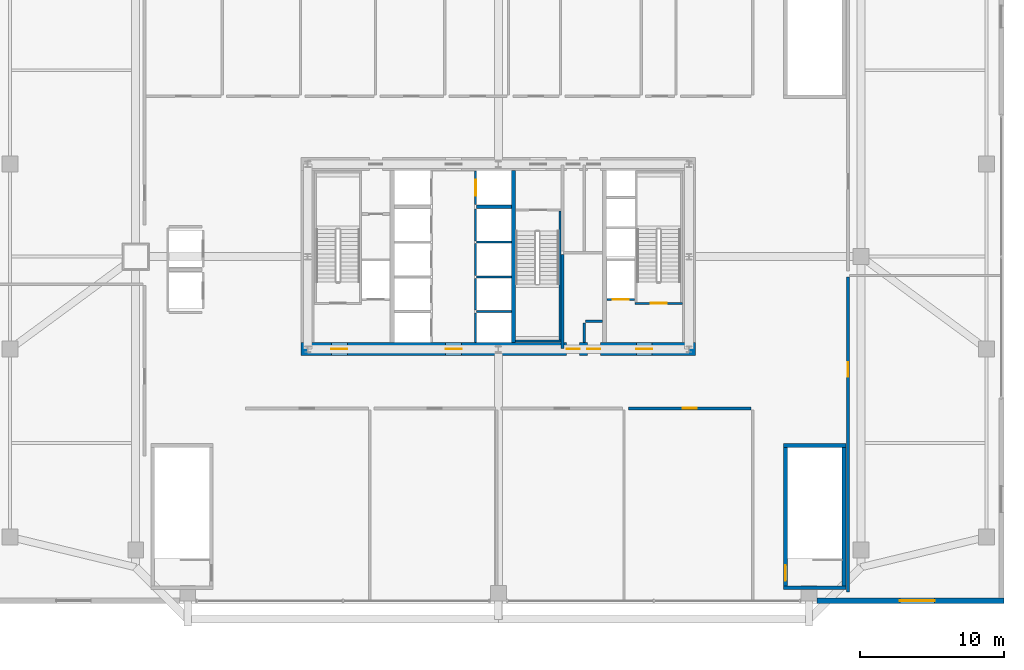
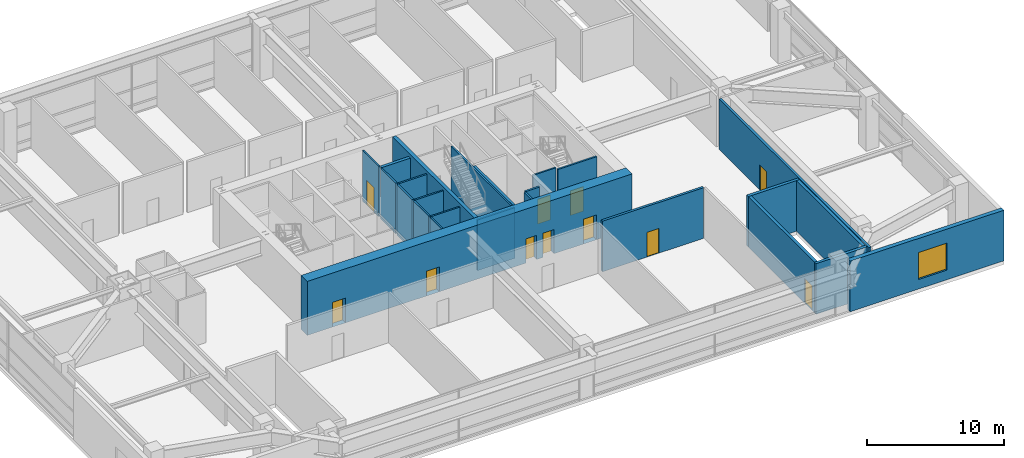
# One storey, part 30 of 34: 25 walls, 11 doors, 1 window, 12 openings.
"""IFC4 building model written with IfcOpenShell, lengths in metres."""

from ifc_helpers import new_model, si_unit, direction, frame, frame_2d, origin, place, context, subcontext, project, spatial, rectangle, extrude, source, transform, mapped, material, layer, layer_set, type_object, element, fill, save


model = new_model("IFC4")

# Units and contexts
model_context = context("Model", 3, precision=1e-05, world=origin(), true_north=direction((0.0, 1.0)))
body_context = subcontext(model_context, "Body", "Model", "MODEL_VIEW")
ifc_project = project(units=[si_unit("LENGTHUNIT", "METRE"), si_unit("AREAUNIT", "SQUARE_METRE"), si_unit("VOLUMEUNIT", "CUBIC_METRE"), si_unit("PLANEANGLEUNIT", "RADIAN"), si_unit("MASSUNIT", "GRAM", prefix="KILO"), si_unit("THERMODYNAMICTEMPERATUREUNIT", "KELVIN"), si_unit("POWERUNIT", "WATT")], contexts=[model_context])

# Site, building, storey
site_placement = place(None, origin())
site = spatial("IfcSite", under=ifc_project, at=site_placement, CompositionType="ELEMENT")
building_placement = place(site_placement, origin())
building = spatial("IfcBuilding", under=site, at=building_placement, Name="Yuzanri Waterfront Tower", CompositionType="ELEMENT")
storey_placement = place(building_placement, frame((0.0, 0.0, 25.800048828125)))
storey = spatial("IfcBuildingStorey", under=building, at=storey_placement, Name="L06", CompositionType="ELEMENT", Elevation=25.800048828125)

# Wall, openings, doors
ifc_material_1 = material(Name="Concrete C60", Category="concrete")
ifc_layer_1 = layer(ifc_material_1, 0.89990234375)
ifc_layer_set_1 = layer_set([ifc_layer_1], Name="Concrete C60")
wall_type_1 = type_object("IfcWallType", Name="Concrete C60 Lower Zone Core Shear Wall 900", PredefinedType="SHEAR", material=ifc_layer_set_1)
wall_1_placement = place(storey_placement, frame((23.35009765625, 19.39990234375, 0.0), z_axis=(0.0, 0.0, 1.0), x_axis=(1.0, 0.0, 0.0)))
wall_1 = element("IfcWall", 1, at=wall_1_placement, inside=storey, type_object=wall_type_1, Name="L06 Core South Shear Wall", PredefinedType="SHEAR", context=body_context, shape_type="SweptSolid", body=[
    extrude(rectangle(XDim=27.2998046875, YDim=0.89990234375, at=frame_2d((13.64990234375, 0.0))), origin(), (0.0, 0.0, 1.0), 4.800048828125),
])
opening_1_placement = place(wall_1_placement, frame((2.10009765625, 0.0, 0.0)))
opening_1 = element("IfcOpeningElement", 2, at=opening_1_placement, cuts=wall_1, Name="Opening FD-1100", PredefinedType="OPENING", context=body_context, shape_type="SweptSolid", body=[
    extrude(rectangle(XDim=1.10009765625, YDim=2.199951171875, at=frame_2d((0.550048828125, 1.10009765625))), frame((0.0, 0.46484375, 0.0), z_axis=(0.0, -1.0, 0.0), x_axis=(1.0, 0.0, 0.0)), (0.0, 0.0, 1.0), 0.9296875),
])
opening_2_placement = place(wall_1_placement, frame((10.0, 0.0, 0.0)))
opening_2 = element("IfcOpeningElement", 3, at=opening_2_placement, cuts=wall_1, Name="Opening FD-1100", PredefinedType="OPENING", context=body_context, shape_type="SweptSolid", body=[
    extrude(rectangle(XDim=1.10009765625, YDim=2.199951171875, at=frame_2d((0.550048828125, 1.10009765625))), frame((0.0, 0.46484375, 0.0), z_axis=(0.0, -1.0, 0.0), x_axis=(1.0, 0.0, 0.0)), (0.0, 0.0, 1.0), 0.9296875),
])
opening_3_placement = place(wall_1_placement, frame((23.199951171875, 0.0, 0.0)))
opening_3 = element("IfcOpeningElement", 4, at=opening_3_placement, cuts=wall_1, Name="Opening FD-1100", PredefinedType="OPENING", context=body_context, shape_type="SweptSolid", body=[
    extrude(rectangle(XDim=1.10009765625, YDim=2.199951171875, at=frame_2d((0.550048828125, 1.10009765625))), frame((0.0, 0.46484375, 0.0), z_axis=(0.0, -1.0, 0.0), x_axis=(1.0, 0.0, 0.0)), (0.0, 0.0, 1.0), 0.9296875),
])
opening_4_placement = place(wall_1_placement, frame((19.820068359375, 0.0, 0.0)))
opening_4 = element("IfcOpeningElement", 5, at=opening_4_placement, cuts=wall_1, Name="Opening FD-0900", PredefinedType="OPENING", context=body_context, shape_type="SweptSolid", body=[
    extrude(rectangle(XDim=0.89990234375, YDim=2.14990234375, at=frame_2d((0.449951171875, 1.074951171875))), frame((0.0, 0.46484375, 0.0), z_axis=(0.0, -1.0, 0.0), x_axis=(1.0, 0.0, 0.0)), (0.0, 0.0, 1.0), 0.9296875),
])
opening_5_placement = place(wall_1_placement, frame((18.3798828125, 0.0, 0.0)))
opening_5 = element("IfcOpeningElement", 6, at=opening_5_placement, cuts=wall_1, Name="Opening FD-0900", PredefinedType="OPENING", context=body_context, shape_type="SweptSolid", body=[
    extrude(rectangle(XDim=0.89990234375, YDim=2.14990234375, at=frame_2d((0.449951171875, 1.074951171875))), frame((0.0, 0.46484375, 0.0), z_axis=(0.0, -1.0, 0.0), x_axis=(1.0, 0.0, 0.0)), (0.0, 0.0, 1.0), 0.9296875),
])
ifc_material_2 = material(Name="Painted Galvanized Fire Steel", Category="steel")
door_type_1 = type_object("IfcDoorType", Name="Smoke-Proof Stair and Lobby Fire Door 1100x2200", OperationType="NOTDEFINED", PredefinedType="DOOR", material=ifc_material_2)
shared_shape_1 = source(origin(), body_context, "Body", "SweptSolid", [
    extrude(rectangle(XDim=1.10009765625, YDim=2.199951171875, at=frame_2d((0.550048828125, 1.10009765625))), frame((0.0, 0.02490234375, 0.0), z_axis=(0.0, -1.0, 0.0), x_axis=(1.0, 0.0, 0.0)), (0.0, 0.0, 1.0), 0.050048828125),
])
door_1_placement = place(opening_1_placement, origin())
door_1 = element("IfcDoor", 7, at=door_1_placement, inside=storey, type_object=door_type_1, Name="L06 West Firefighting Lobby Door", OperationType="SINGLE_SWING_RIGHT", OverallHeight=2.199951171875, OverallWidth=1.10009765625, PredefinedType="DOOR", context=body_context, shape_type="MappedRepresentation", body=[
    mapped(shared_shape_1, transform((0.0, 0.0, 0.0), scale=1.0)),
])
fill(opening_1, door_1)
door_2_placement = place(opening_2_placement, origin())
door_2 = element("IfcDoor", 8, at=door_2_placement, inside=storey, type_object=door_type_1, Name="L06 Central Lift Lobby South Door", OperationType="SINGLE_SWING_LEFT", OverallHeight=2.199951171875, OverallWidth=1.10009765625, PredefinedType="DOOR", context=body_context, shape_type="MappedRepresentation", body=[
    mapped(shared_shape_1, transform((0.0, 0.0, 0.0), scale=1.0)),
])
fill(opening_2, door_2)
door_3_placement = place(opening_3_placement, origin())
door_3 = element("IfcDoor", 9, at=door_3_placement, inside=storey, type_object=door_type_1, Name="L06 East Firefighting Lobby Door", OperationType="SINGLE_SWING_RIGHT", OverallHeight=2.199951171875, OverallWidth=1.10009765625, PredefinedType="DOOR", context=body_context, shape_type="MappedRepresentation", body=[
    mapped(shared_shape_1, transform((0.0, 0.0, 0.0), scale=1.0)),
])
fill(opening_3, door_3)
ifc_material_3 = material(Name="Painted Galvanized Fire Steel", Category="steel")
door_type_2 = type_object("IfcDoorType", Name="Riser and Service Room Fire Door 900x2150", OperationType="NOTDEFINED", PredefinedType="DOOR", material=ifc_material_3)
shared_shape_2 = source(origin(), body_context, "Body", "SweptSolid", [
    extrude(rectangle(XDim=0.89990234375, YDim=2.14990234375, at=frame_2d((0.449951171875, 1.074951171875))), frame((0.0, 0.02490234375, 0.0), z_axis=(0.0, -1.0, 0.0), x_axis=(1.0, 0.0, 0.0)), (0.0, 0.0, 1.0), 0.050048828125),
])
door_4_placement = place(opening_4_placement, origin())
door_4 = element("IfcDoor", 10, at=door_4_placement, inside=storey, type_object=door_type_2, Name="L06 East Wet Riser Door", OperationType="SINGLE_SWING_LEFT", OverallHeight=2.14990234375, OverallWidth=0.89990234375, PredefinedType="DOOR", context=body_context, shape_type="MappedRepresentation", body=[
    mapped(shared_shape_2, transform((0.0, 0.0, 0.0), scale=1.0)),
])
fill(opening_4, door_4)
door_5_placement = place(opening_5_placement, origin())
door_5 = element("IfcDoor", 11, at=door_5_placement, inside=storey, type_object=door_type_2, Name="L06 Cleaners Store Room", OperationType="SINGLE_SWING_RIGHT", OverallHeight=2.14990234375, OverallWidth=0.89990234375, PredefinedType="DOOR", context=body_context, shape_type="MappedRepresentation", body=[
    mapped(shared_shape_2, transform((0.0, 0.0, 0.0), scale=1.0)),
])
fill(opening_5, door_5)

# Wall, opening, door
ifc_material_4 = material(Name="Concrete C40", Category="concrete")
ifc_layer_2 = layer(ifc_material_4, 0.139892578125)
ifc_layer_set_2 = layer_set([ifc_layer_2], Name="Concrete C40")
wall_type_2 = type_object("IfcWallType", Name="Core Stair Liner and Hoistway Shaft Wall 140", PredefinedType="SOLIDWALL", material=ifc_layer_set_2)
wall_2_placement = place(storey_placement, frame((44.52001953125, 22.830078125, 0.0), z_axis=(0.0, 0.0, 1.0), x_axis=(1.0, 0.0, 0.0)))
wall_2 = element("IfcWall", 12, at=wall_2_placement, inside=storey, type_object=wall_type_2, Name="L06 Lift FL-02 Front Shaft Wall", PredefinedType="SOLIDWALL", context=body_context, shape_type="SweptSolid", body=[
    extrude(rectangle(XDim=1.919921875, YDim=0.139892578125, at=frame_2d((0.9599609375, 0.0))), origin(), (0.0, 0.0, 1.0), 4.5),
])
opening_6_placement = place(wall_2_placement, frame((0.409912109375, 0.0, 0.0)))
opening_6 = element("IfcOpeningElement", 13, at=opening_6_placement, cuts=wall_2, Name="Opening LD-FL-02", PredefinedType="OPENING", context=body_context, shape_type="SweptSolid", body=[
    extrude(rectangle(XDim=1.10009765625, YDim=2.199951171875, at=frame_2d((0.550048828125, 1.10009765625))), frame((0.0, 0.0849609375, 0.0), z_axis=(0.0, -1.0, 0.0), x_axis=(1.0, 0.0, 0.0)), (0.0, 0.0, 1.0), 0.169677734375),
])
ifc_material_5 = material(Name="Brushed Bronze and Stainless Steel Cab", Category="steel")
door_type_3 = type_object("IfcDoorType", Name="Center-Parting Bronze Lift Landing Sliding Door 1100x2200", OperationType="NOTDEFINED", PredefinedType="DOOR", material=ifc_material_5)
shared_shape_3 = source(origin(), body_context, "Body", "SweptSolid", [
    extrude(rectangle(XDim=1.10009765625, YDim=2.199951171875, at=frame_2d((0.550048828125, 1.10009765625))), frame((0.0, 0.02490234375, 0.0), z_axis=(0.0, -1.0, 0.0), x_axis=(1.0, 0.0, 0.0)), (0.0, 0.0, 1.0), 0.050048828125),
])
door_6_placement = place(opening_6_placement, origin())
door_6 = element("IfcDoor", 14, at=door_6_placement, inside=storey, type_object=door_type_3, Name="L06 FL-02 Lift Landing Sliding Door", OperationType="SLIDING_TO_RIGHT", OverallHeight=2.199951171875, OverallWidth=1.10009765625, PredefinedType="DOOR", context=body_context, shape_type="MappedRepresentation", body=[
    mapped(shared_shape_3, transform((0.0, 0.0, 0.0), scale=1.0)),
])
fill(opening_6, door_6)

wall_3_placement = place(storey_placement, frame((35.429931640625, 29.39990234375, 0.0), z_axis=(0.0, 0.0, 1.0), x_axis=(0.0, 1.0, 0.0)))
wall_3 = element("IfcWall", 15, at=wall_3_placement, inside=storey, type_object=wall_type_2, Name="L06 Lift SL-02 Front Shaft Wall", PredefinedType="SOLIDWALL", context=body_context, shape_type="SweptSolid", body=[
    extrude(rectangle(XDim=2.340087890625, YDim=0.139892578125, at=frame_2d((1.169921875, 0.0))), origin(), (0.0, 0.0, 1.0), 4.5),
])
opening_7_placement = place(wall_3_placement, frame((0.6201171875, 0.0, 0.0)))
opening_7 = element("IfcOpeningElement", 16, at=opening_7_placement, cuts=wall_3, Name="Opening LD-SL-02", PredefinedType="OPENING", context=body_context, shape_type="SweptSolid", body=[
    extrude(rectangle(XDim=1.10009765625, YDim=2.199951171875, at=frame_2d((0.550048828125, 1.10009765625))), frame((0.0, 0.0849609375, 0.0), z_axis=(0.0, -1.0, 0.0), x_axis=(1.0, 0.0, 0.0)), (0.0, 0.0, 1.0), 0.169677734375),
])
door_7_placement = place(opening_7_placement, origin())
door_7 = element("IfcDoor", 17, at=door_7_placement, inside=storey, type_object=door_type_3, Name="L06 SL-02 Lift Landing Sliding Door", OperationType="SLIDING_TO_RIGHT", OverallHeight=2.199951171875, OverallWidth=1.10009765625, PredefinedType="DOOR", context=body_context, shape_type="MappedRepresentation", body=[
    mapped(shared_shape_3, transform((0.0, 0.0, 0.0), scale=1.0)),
])
fill(opening_7, door_7)

wall_4_placement = place(storey_placement, frame((46.4599609375, 22.570068359375, 0.0), z_axis=(0.0, 0.0, 1.0), x_axis=(1.0, 0.0, 0.0)))
wall_4 = element("IfcWall", 18, at=wall_4_placement, inside=storey, type_object=wall_type_2, Name="L06 Shaft Wall STW-L06-ST-02-S", PredefinedType="SOLIDWALL", context=body_context, shape_type="SweptSolid", body=[
    extrude(rectangle(XDim=3.280029296875, YDim=0.139892578125, at=frame_2d((1.64013671875, 0.0))), origin(), (0.0, 0.0, 1.0), 4.5),
])
opening_8_placement = place(wall_4_placement, frame((1.090087890625, 0.0, 0.0)))
opening_8 = element("IfcOpeningElement", 19, at=opening_8_placement, cuts=wall_4, Name="Opening FD-1100", PredefinedType="OPENING", context=body_context, shape_type="SweptSolid", body=[
    extrude(rectangle(XDim=1.10009765625, YDim=2.199951171875, at=frame_2d((0.550048828125, 1.10009765625))), frame((0.0, 0.0849609375, 0.0), z_axis=(0.0, -1.0, 0.0), x_axis=(1.0, 0.0, 0.0)), (0.0, 0.0, 1.0), 0.169677734375),
])
door_8_placement = place(opening_8_placement, origin())
door_8 = element("IfcDoor", 20, at=door_8_placement, inside=storey, type_object=door_type_1, Name="L06 Stair ST-02 Fire Door", OperationType="SINGLE_SWING_LEFT", OverallHeight=2.199951171875, OverallWidth=1.10009765625, PredefinedType="DOOR", context=body_context, shape_type="MappedRepresentation", body=[
    mapped(shared_shape_1, transform((0.0, 0.0, 0.0), scale=1.0)),
])
fill(opening_8, door_8)

ifc_material_6 = material(Name="Autoclaved Aerated Concrete Blockwork", Category="masonry")
ifc_layer_3 = layer(ifc_material_6, 0.199951171875)
ifc_layer_set_3 = layer_set([ifc_layer_3], Name="Autoclaved Aerated Concrete Blockwork")
wall_type_3 = type_object("IfcWallType", Name="Corridor and Unit Party Fire Wall 200", PredefinedType="PARTITIONING", material=ifc_layer_set_3)
wall_5_placement = place(storey_placement, frame((46.0, 15.300048828125, 0.0), z_axis=(0.0, 0.0, 1.0), x_axis=(1.0, 0.0, 0.0)))
wall_5 = element("IfcWall", 21, at=wall_5_placement, inside=storey, type_object=wall_type_3, Name="L06 Partition PRW-L06-030-N", PredefinedType="PARTITIONING", context=body_context, shape_type="SweptSolid", body=[
    extrude(rectangle(XDim=8.5, YDim=0.199951171875, at=frame_2d((4.25, 0.0))), origin(), (0.0, 0.0, 1.0), 4.5),
])
opening_9_placement = place(wall_5_placement, frame((3.75, 0.0, 0.0)))
opening_9 = element("IfcOpeningElement", 22, at=opening_9_placement, cuts=wall_5, Name="Opening FD-1000", PredefinedType="OPENING", context=body_context, shape_type="SweptSolid", body=[
    extrude(rectangle(XDim=1.0, YDim=2.199951171875, at=frame_2d((0.5, 1.10009765625))), frame((0.0, 0.11474609375, 0.0), z_axis=(0.0, -1.0, 0.0), x_axis=(1.0, 0.0, 0.0)), (0.0, 0.0, 1.0), 0.229736328125),
])
ifc_material_7 = material(Name="Engineered Oak Fire-Rated Timber", Category="wood")
door_type_4 = type_object("IfcDoorType", Name="Guestroom and Apartment Entrance Fire Door 1000x2200", OperationType="NOTDEFINED", PredefinedType="DOOR", material=ifc_material_7)
shared_shape_4 = source(origin(), body_context, "Body", "SweptSolid", [
    extrude(rectangle(XDim=1.0, YDim=2.199951171875, at=frame_2d((0.5, 1.10009765625))), frame((0.0, 0.02490234375, 0.0), z_axis=(0.0, -1.0, 0.0), x_axis=(1.0, 0.0, 0.0)), (0.0, 0.0, 1.0), 0.050048828125),
])
door_9_placement = place(opening_9_placement, origin())
door_9 = element("IfcDoor", 23, at=door_9_placement, inside=storey, type_object=door_type_4, Name="L06 Summit Seminar Room", OperationType="SINGLE_SWING_RIGHT", OverallHeight=2.199951171875, OverallWidth=1.0, PredefinedType="DOOR", context=body_context, shape_type="MappedRepresentation", body=[
    mapped(shared_shape_4, transform((0.0, 0.0, 0.0), scale=1.0)),
])
fill(opening_9, door_9)

wall_6_placement = place(storey_placement, frame((61.199951171875, 2.60009765625, 0.0), z_axis=(0.0, 0.0, 1.0), x_axis=(0.0, 1.0, 0.0)))
wall_6 = element("IfcWall", 24, at=wall_6_placement, inside=storey, type_object=wall_type_3, Name="L06 Partition PRW-L06-033-W", PredefinedType="PARTITIONING", context=body_context, shape_type="SweptSolid", body=[
    extrude(rectangle(XDim=21.7998046875, YDim=0.199951171875, at=frame_2d((10.89990234375, 0.0))), origin(), (0.0, 0.0, 1.0), 4.5),
])
opening_10_placement = place(wall_6_placement, frame((14.89990234375, 0.0, 0.0)))
opening_10 = element("IfcOpeningElement", 25, at=opening_10_placement, cuts=wall_6, Name="Opening FD-1000", PredefinedType="OPENING", context=body_context, shape_type="SweptSolid", body=[
    extrude(rectangle(XDim=1.0, YDim=2.199951171875, at=frame_2d((0.5, 1.10009765625))), frame((0.0, 0.11474609375, 0.0), z_axis=(0.0, -1.0, 0.0), x_axis=(1.0, 0.0, 0.0)), (0.0, 0.0, 1.0), 0.229736328125),
])
door_10_placement = place(opening_10_placement, origin())
door_10 = element("IfcDoor", 26, at=door_10_placement, inside=storey, type_object=door_type_4, Name="L06 East Executive Business Office", OperationType="SINGLE_SWING_LEFT", OverallHeight=2.199951171875, OverallWidth=1.0, PredefinedType="DOOR", context=body_context, shape_type="MappedRepresentation", body=[
    mapped(shared_shape_4, transform((0.0, 0.0, 0.0), scale=1.0)),
])
fill(opening_10, door_10)

# Wall, opening, window
ifc_material_8 = material(Name="Honed Chongqing Dark Basalt Stone", Category="masonry")
ifc_layer_4 = layer(ifc_material_8, 0.360107421875)
ifc_layer_set_4 = layer_set([ifc_layer_4], Name="Honed Chongqing Dark Basalt Stone")
wall_type_4 = type_object("IfcWallType", Name="Honed Basalt Stone Masonry-Frame Spandrel Wall 360", PredefinedType="SOLIDWALL", material=ifc_layer_set_4)
wall_7_placement = place(storey_placement, frame((59.070068359375, 1.97998046875, 0.0), z_axis=(0.0, 0.0, 1.0), x_axis=(1.0, 0.0, 0.0)))
wall_7 = element("IfcWall", 27, at=wall_7_placement, inside=storey, type_object=wall_type_4, Name="L06 South-East Basalt Pier", PredefinedType="SOLIDWALL", context=body_context, shape_type="SweptSolid", body=[
    extrude(rectangle(XDim=12.929931640625, YDim=0.360107421875, at=frame_2d((6.46484375, 0.0))), origin(), (0.0, 0.0, 1.0), 4.5),
])
opening_11_placement = place(wall_7_placement, frame((5.72998046875, 0.0, 0.85009765625)))
opening_11 = element("IfcOpeningElement", 28, at=opening_11_placement, cuts=wall_7, Name="Opening WN-03", PredefinedType="OPENING", context=body_context, shape_type="SweptSolid", body=[
    extrude(rectangle(XDim=2.39990234375, YDim=2.39990234375, at=frame_2d((1.199951171875, 1.199951171875))), frame((0.0, 0.19482421875, 0.0), z_axis=(0.0, -1.0, 0.0), x_axis=(1.0, 0.0, 0.0)), (0.0, 0.0, 1.0), 0.389892578125),
])
ifc_material_9 = material(Name="Double-Silver Low-E Insulated Glass", Category="glass")
window_type = type_object("IfcWindowType", Name="Anodized Bronze Podium Waterfront Picture Window 2400x2400", PartitioningType="SINGLE_PANEL", PredefinedType="WINDOW", material=ifc_material_9)
shared_shape_5 = source(origin(), body_context, "Body", "SweptSolid", [
    extrude(rectangle(XDim=2.39990234375, YDim=2.39990234375, at=frame_2d((1.199951171875, 1.199951171875))), frame((0.0, 0.030029296875, 0.0), z_axis=(0.0, -1.0, 0.0), x_axis=(1.0, 0.0, 0.0)), (0.0, 0.0, 1.0), 0.06005859375),
])
window_placement = place(opening_11_placement, origin())
window = element("IfcWindow", 29, at=window_placement, inside=storey, type_object=window_type, Name="L06 SE Waterfront Window", OverallHeight=2.39990234375, OverallWidth=2.39990234375, PartitioningType="SINGLE_PANEL", PredefinedType="WINDOW", context=body_context, shape_type="MappedRepresentation", body=[
    mapped(shared_shape_5, transform((0.0, 0.0, 0.0), scale=1.0)),
])
fill(opening_11, window)

# Wall, opening, door
ifc_material_10 = material(Name="Concrete C40", Category="concrete")
ifc_layer_5 = layer(ifc_material_10, 0.25)
ifc_layer_set_5 = layer_set([ifc_layer_5], Name="Concrete C40")
wall_type_5 = type_object("IfcWallType", Name="Smoke-Proof Stair and Lift Shaft Wall 250", PredefinedType="SOLIDWALL", material=ifc_layer_set_5)
wall_8_placement = place(storey_placement, frame((56.875, 3.0, 0.0), z_axis=(0.0, 0.0, 1.0), x_axis=(0.0, 1.0, 0.0)))
wall_8 = element("IfcWall", 30, at=wall_8_placement, inside=storey, type_object=wall_type_5, Name="L06 Shaft Wall PSTW-L06-PST-02-W", PredefinedType="SOLIDWALL", context=body_context, shape_type="SweptSolid", body=[
    extrude(rectangle(XDim=9.60009765625, YDim=0.25, at=frame_2d((4.800048828125, 0.0))), origin(), (0.0, 0.0, 1.0), 4.5),
])
opening_12_placement = place(wall_8_placement, frame((0.35009765625, 0.0, 0.0)))
opening_12 = element("IfcOpeningElement", 31, at=opening_12_placement, cuts=wall_8, Name="Opening FD-1100", PredefinedType="OPENING", context=body_context, shape_type="SweptSolid", body=[
    extrude(rectangle(XDim=1.10009765625, YDim=2.199951171875, at=frame_2d((0.550048828125, 1.10009765625))), frame((0.0, 0.139892578125, 0.0), z_axis=(0.0, -1.0, 0.0), x_axis=(1.0, 0.0, 0.0)), (0.0, 0.0, 1.0), 0.27978515625),
])
door_11_placement = place(opening_12_placement, origin())
door_11 = element("IfcDoor", 32, at=door_11_placement, inside=storey, type_object=door_type_1, Name="L06 PST-02 Stair Door", OperationType="SINGLE_SWING_RIGHT", OverallHeight=2.199951171875, OverallWidth=1.10009765625, PredefinedType="DOOR", context=body_context, shape_type="MappedRepresentation", body=[
    mapped(shared_shape_1, transform((0.0, 0.0, 0.0), scale=1.0)),
])
fill(opening_12, door_11)

# Walls
ifc_material_11 = material(Name="Concrete C50", Category="concrete")
ifc_layer_6 = layer(ifc_material_11, 0.300048828125)
ifc_layer_set_6 = layer_set([ifc_layer_6], Name="Concrete C50")
wall_type_6 = type_object("IfcWallType", Name="Concrete C50 Internal Core Shaft Structural Wall 300", PredefinedType="SOLIDWALL", material=ifc_layer_set_6)
shared_shape_6 = source(origin(), body_context, "Body", "SweptSolid", [
    extrude(rectangle(XDim=11.89990234375, YDim=0.300048828125, at=frame_2d((5.949951171875, 0.0))), origin(), (0.0, 0.0, 1.0), 4.800048828125),
])
wall_9_placement = place(storey_placement, frame((38.050048828125, 19.85009765625, 0.0), z_axis=(0.0, 0.0, 1.0), x_axis=(0.0, 1.0, 0.0)))
element("IfcWall", 33, at=wall_9_placement, inside=storey, type_object=wall_type_6, Name="L06 Core Internal Structural Web Wall 2", PredefinedType="SOLIDWALL", context=body_context, shape_type="MappedRepresentation", body=[
    mapped(shared_shape_6, transform((0.0, 0.0, 0.0), scale=1.0)),
])
shared_shape_7 = source(origin(), body_context, "Body", "SweptSolid", [
    extrude(rectangle(XDim=2.039794921875, YDim=0.139892578125, at=frame_2d((1.02001953125, 0.0))), origin(), (0.0, 0.0, 1.0), 4.5),
])
wall_10_placement = place(storey_placement, frame((35.429931640625, 19.860107421875, 0.0), z_axis=(0.0, 0.0, 1.0), x_axis=(0.0, 1.0, 0.0)))
element("IfcWall", 34, at=wall_10_placement, inside=storey, type_object=wall_type_2, Name="L06 Lift PL-05 Front Shaft Wall", PredefinedType="SOLIDWALL", context=body_context, shape_type="MappedRepresentation", body=[
    mapped(shared_shape_7, transform((0.0, 0.0, 0.0), scale=1.0)),
])
shared_shape_8 = source(origin(), body_context, "Body", "SweptSolid", [
    extrude(rectangle(XDim=2.39990234375, YDim=0.139892578125, at=frame_2d((1.199951171875, 0.0))), origin(), (0.0, 0.0, 1.0), 4.5),
])
for number, where, z_axis, x_axis, name in (
    (35, (35.5, 22.0, 0.0), (0.0, 0.0, 1.0), (1.0, 0.0, 0.0), "L06 Lift PL-05 Divider Wall"),
    (36, (35.5, 24.39990234375, 0.0), (0.0, 0.0, 1.0), (1.0, 0.0, 0.0), "L06 Lift PL-06 Divider Wall"),
    (37, (35.5, 26.800048828125, 0.0), (0.0, 0.0, 1.0), (1.0, 0.0, 0.0), "L06 Lift PL-07 Divider Wall"),
):
    element("IfcWall", number, at=place(storey_placement, frame(where, z_axis=z_axis, x_axis=x_axis)), inside=storey, type_object=wall_type_2, Name=name, PredefinedType="SOLIDWALL", context=body_context, shape_type="MappedRepresentation", body=[
        mapped(shared_shape_8, transform((0.0, 0.0, 0.0), scale=1.0)),
    ])
shared_shape_9 = source(origin(), body_context, "Body", "SweptSolid", [
    extrude(rectangle(XDim=2.199951171875, YDim=0.139892578125, at=frame_2d((1.10009765625, 0.0))), origin(), (0.0, 0.0, 1.0), 4.5),
])
for number, where, z_axis, x_axis, name in (
    (38, (35.429931640625, 22.10009765625, 0.0), (0.0, 0.0, 1.0), (0.0, 1.0, 0.0), "L06 Lift PL-06 Front Shaft Wall"),
    (39, (35.429931640625, 24.5, 0.0), (0.0, 0.0, 1.0), (0.0, 1.0, 0.0), "L06 Lift PL-07 Front Shaft Wall"),
):
    element("IfcWall", number, at=place(storey_placement, frame(where, z_axis=z_axis, x_axis=x_axis)), inside=storey, type_object=wall_type_2, Name=name, PredefinedType="SOLIDWALL", context=body_context, shape_type="MappedRepresentation", body=[
        mapped(shared_shape_9, transform((0.0, 0.0, 0.0), scale=1.0)),
    ])
shared_shape_10 = source(origin(), body_context, "Body", "SweptSolid", [
    extrude(rectangle(XDim=2.2001953125, YDim=0.139892578125, at=frame_2d((1.10009765625, 0.0))), origin(), (0.0, 0.0, 1.0), 4.5),
])
wall_11_placement = place(storey_placement, frame((35.429931640625, 26.89990234375, 0.0), z_axis=(0.0, 0.0, 1.0), x_axis=(0.0, 1.0, 0.0)))
element("IfcWall", 40, at=wall_11_placement, inside=storey, type_object=wall_type_2, Name="L06 Lift PL-08 Front Shaft Wall", PredefinedType="SOLIDWALL", context=body_context, shape_type="MappedRepresentation", body=[
    mapped(shared_shape_10, transform((0.0, 0.0, 0.0), scale=1.0)),
])
shared_shape_11 = source(origin(), body_context, "Body", "SweptSolid", [
    extrude(rectangle(XDim=2.39990234375, YDim=0.25, at=frame_2d((1.199951171875, 0.0))), origin(), (0.0, 0.0, 1.0), 4.5),
])
wall_12_placement = place(storey_placement, frame((35.5, 29.25, 0.0), z_axis=(0.0, 0.0, 1.0), x_axis=(1.0, 0.0, 0.0)))
element("IfcWall", 41, at=wall_12_placement, inside=storey, type_object=wall_type_5, Name="L06 Lift SL-02 South Shaft Wall", PredefinedType="SOLIDWALL", context=body_context, shape_type="MappedRepresentation", body=[
    mapped(shared_shape_11, transform((0.0, 0.0, 0.0), scale=1.0)),
])
shared_shape_12 = source(origin(), body_context, "Body", "SweptSolid", [
    extrude(rectangle(XDim=3.14013671875, YDim=0.139892578125, at=frame_2d((1.570068359375, 0.0))), origin(), (0.0, 0.0, 1.0), 4.5),
])
wall_13_placement = place(storey_placement, frame((38.199951171875, 19.949951171875, 0.0), z_axis=(0.0, 0.0, 1.0), x_axis=(1.0, 0.0, 0.0)))
element("IfcWall", 42, at=wall_13_placement, inside=storey, type_object=wall_type_2, Name="L06 Stair ST-03 South Shaft Wall", PredefinedType="SOLIDWALL", context=body_context, shape_type="MappedRepresentation", body=[
    mapped(shared_shape_12, transform((0.0, 0.0, 0.0), scale=1.0)),
])
shared_shape_13 = source(origin(), body_context, "Body", "SweptSolid", [
    extrude(rectangle(XDim=8.93994140625, YDim=0.139892578125, at=frame_2d((4.469970703125, 0.0))), origin(), (0.0, 0.0, 1.0), 4.5),
])
wall_14_placement = place(storey_placement, frame((41.27001953125, 20.02001953125, 0.0), z_axis=(0.0, 0.0, 1.0), x_axis=(0.0, 1.0, 0.0)))
element("IfcWall", 43, at=wall_14_placement, inside=storey, type_object=wall_type_2, Name="L06 Stair ST-03 East Shaft Wall", PredefinedType="SOLIDWALL", context=body_context, shape_type="MappedRepresentation", body=[
    mapped(shared_shape_13, transform((0.0, 0.0, 0.0), scale=1.0)),
])
shared_shape_14 = source(origin(), body_context, "Body", "SweptSolid", [
    extrude(rectangle(XDim=4.300048828125, YDim=0.25, at=frame_2d((2.14990234375, 0.0))), origin(), (0.0, 0.0, 1.0), 4.5),
])
for number, where, z_axis, x_axis, name in (
    (44, (56.75, 2.875, 0.0), (0.0, 0.0, 1.0), (1.0, 0.0, 0.0), "L06 PST-02 South Wall"),
    (45, (56.75, 12.72509765625, 0.0), (0.0, 0.0, 1.0), (1.0, 0.0, 0.0), "L06 PST-02 North Wall"),
):
    element("IfcWall", number, at=place(storey_placement, frame(where, z_axis=z_axis, x_axis=x_axis)), inside=storey, type_object=wall_type_5, Name=name, PredefinedType="SOLIDWALL", context=body_context, shape_type="MappedRepresentation", body=[
        mapped(shared_shape_14, transform((0.0, 0.0, 0.0), scale=1.0)),
    ])
shared_shape_15 = source(origin(), body_context, "Body", "SweptSolid", [
    extrude(rectangle(XDim=9.60009765625, YDim=0.25, at=frame_2d((4.800048828125, 0.0))), origin(), (0.0, 0.0, 1.0), 4.5),
])
wall_15_placement = place(storey_placement, frame((60.925048828125, 3.0, 0.0), z_axis=(0.0, 0.0, 1.0), x_axis=(0.0, 1.0, 0.0)))
element("IfcWall", 46, at=wall_15_placement, inside=storey, type_object=wall_type_5, Name="L06 Shaft Wall PSTW-L06-PST-02-E", PredefinedType="SOLIDWALL", context=body_context, shape_type="MappedRepresentation", body=[
    mapped(shared_shape_15, transform((0.0, 0.0, 0.0), scale=1.0)),
])
ifc_material_12 = material(Name="Gypsum Fireboard Acoustic Stud Wall", Category="gypsum")
ifc_layer_7 = layer(ifc_material_12, 0.159912109375)
ifc_layer_set_7 = layer_set([ifc_layer_7], Name="Gypsum Fireboard Acoustic Stud Wall")
wall_type_7 = type_object("IfcWallType", Name="Acoustic Suite Demising Partition 160", PredefinedType="PARTITIONING", material=ifc_layer_set_7)
shared_shape_16 = source(origin(), body_context, "Body", "SweptSolid", [
    extrude(rectangle(XDim=1.33984375, YDim=0.159912109375, at=frame_2d((0.669921875, 0.0))), origin(), (0.0, 0.0, 1.0), 4.5),
])
wall_16_placement = place(storey_placement, frame((42.949951171875, 19.860107421875, 0.0), z_axis=(0.0, 0.0, 1.0), x_axis=(0.0, 1.0, 0.0)))
element("IfcWall", 47, at=wall_16_placement, inside=storey, type_object=wall_type_7, Name="L06 East Wet Riser West Wall", PredefinedType="PARTITIONING", context=body_context, shape_type="MappedRepresentation", body=[
    mapped(shared_shape_16, transform((0.0, 0.0, 0.0), scale=1.0)),
])
shared_shape_17 = source(origin(), body_context, "Body", "SweptSolid", [
    extrude(rectangle(XDim=1.169921875, YDim=0.159912109375, at=frame_2d((0.5849609375, 0.0))), origin(), (0.0, 0.0, 1.0), 4.5),
])
wall_17_placement = place(storey_placement, frame((43.030029296875, 21.320068359375, 0.0), z_axis=(0.0, 0.0, 1.0), x_axis=(1.0, 0.0, 0.0)))
element("IfcWall", 48, at=wall_17_placement, inside=storey, type_object=wall_type_7, Name="L06 East Wet Riser North Wall", PredefinedType="PARTITIONING", context=body_context, shape_type="MappedRepresentation", body=[
    mapped(shared_shape_17, transform((0.0, 0.0, 0.0), scale=1.0)),
])
shared_shape_18 = source(origin(), body_context, "Body", "SweptSolid", [
    extrude(rectangle(XDim=6.510009765625, YDim=0.199951171875, at=frame_2d((3.2548828125, 0.0))), origin(), (0.0, 0.0, 1.0), 4.5),
])
wall_18_placement = place(storey_placement, frame((41.449951171875, 19.43994140625, 0.0), z_axis=(0.0, 0.0, 1.0), x_axis=(0.0, 1.0, 0.0)))
element("IfcWall", 49, at=wall_18_placement, inside=storey, type_object=wall_type_3, Name="L06 Core BOH West Wall 1", PredefinedType="PARTITIONING", context=body_context, shape_type="MappedRepresentation", body=[
    mapped(shared_shape_18, transform((0.0, 0.0, 0.0), scale=1.0)),
])

save(model, "model.ifc")
